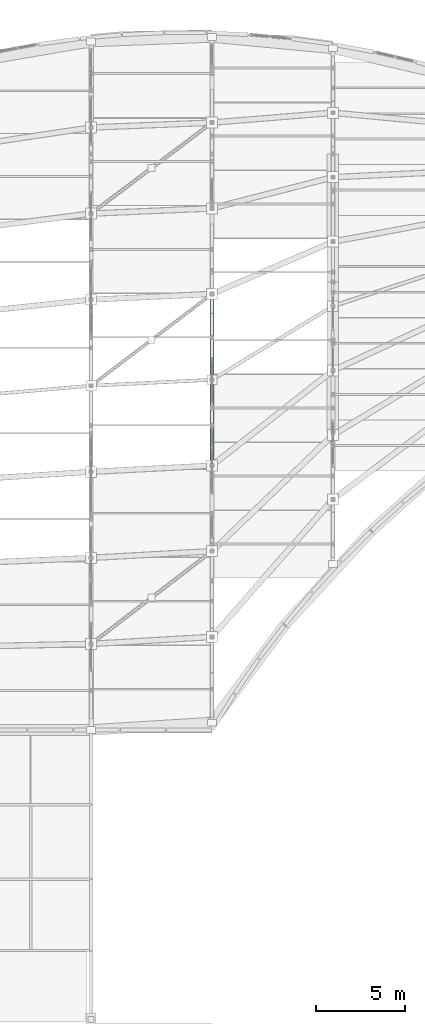
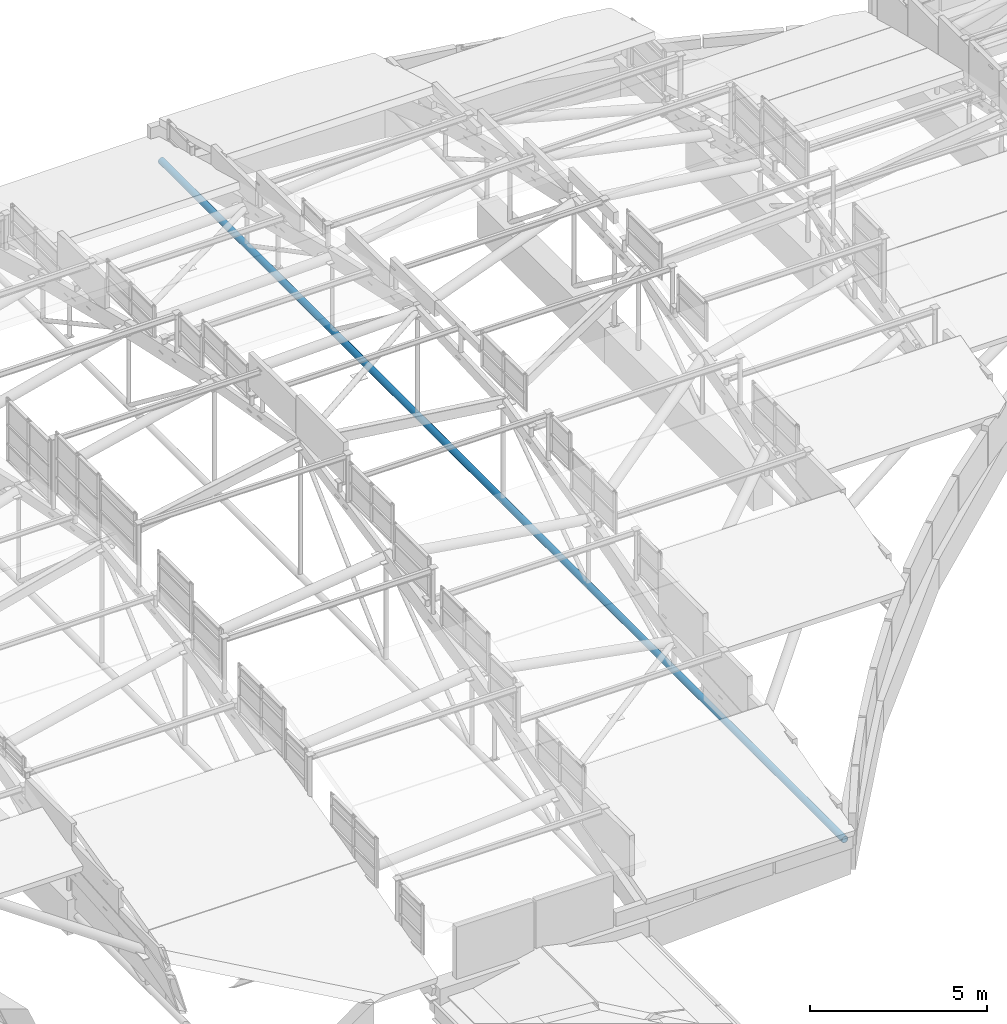
# One storey, part 91 of 188: 1 member.
"""IFC4 building model written with IfcOpenShell, lengths in metres."""

from ifc_helpers import new_model, si_unit, direction, frame, origin, origin_2d, place, context, subcontext, project, spatial, hollow_circle, extrude, material, material_profile, profile_set, type_object, element, save


model = new_model("IFC4")

# Units and contexts
model_context = context("Model", 3, precision=1e-05, world=origin(), true_north=direction((0.0, 1.0)))
body_context = subcontext(model_context, "Body", "Model", "MODEL_VIEW")
ifc_project = project(units=[si_unit("LENGTHUNIT", "METRE"), si_unit("AREAUNIT", "SQUARE_METRE"), si_unit("VOLUMEUNIT", "CUBIC_METRE"), si_unit("PLANEANGLEUNIT", "RADIAN"), si_unit("MASSUNIT", "GRAM", prefix="KILO")], contexts=[model_context])

# Site, building, storey
site_placement = place(None, origin())
site = spatial("IfcSite", under=ifc_project, at=site_placement, CompositionType="ELEMENT")
building_placement = place(site_placement, origin())
building = spatial("IfcBuilding", under=site, at=building_placement, Name="Kisaragi Civic Commons", CompositionType="ELEMENT")
storey_placement = place(building_placement, frame((0.0, 0.0, 9.60009765625)))
storey = spatial("IfcBuildingStorey", under=building, at=storey_placement, Name="L02", CompositionType="ELEMENT", Elevation=9.60009765625)

# Member
ifc_material = material(Name="Steel SN490 (SN490B)", Category="steel")
ifc_material_profile = material_profile(ifc_material, hollow_circle(Radius=0.108154296875, WallThickness=0.008056640625, at=origin_2d()), Name="CHS-216.3x8.0", Category="steel")
ifc_profile_set = profile_set([ifc_material_profile], Name="Steel SN490 (SN490B)")
member_type = type_object("IfcMemberType", Name="ST-T2", PredefinedType="STRUT", material=ifc_profile_set)
member_placement = place(storey_placement, frame((27.199951171875, 79.614501953125, -0.353271484375), z_axis=(0.0, 1.0, 0.0), x_axis=(-1.0, 0.0, 0.0)))
element("IfcMember", 1, at=member_placement, inside=storey, type_object=member_type, Name="V2 arch tension tie ST-T2 58", PredefinedType="STRUT", context=body_context, shape_type="SweptSolid", body=[
    extrude(hollow_circle(Radius=0.108154296875, WallThickness=0.008056640625, at=origin_2d()), origin(), (0.0, 0.0, 1.0), 38.573974609375),
])

save(model, "model.ifc")
